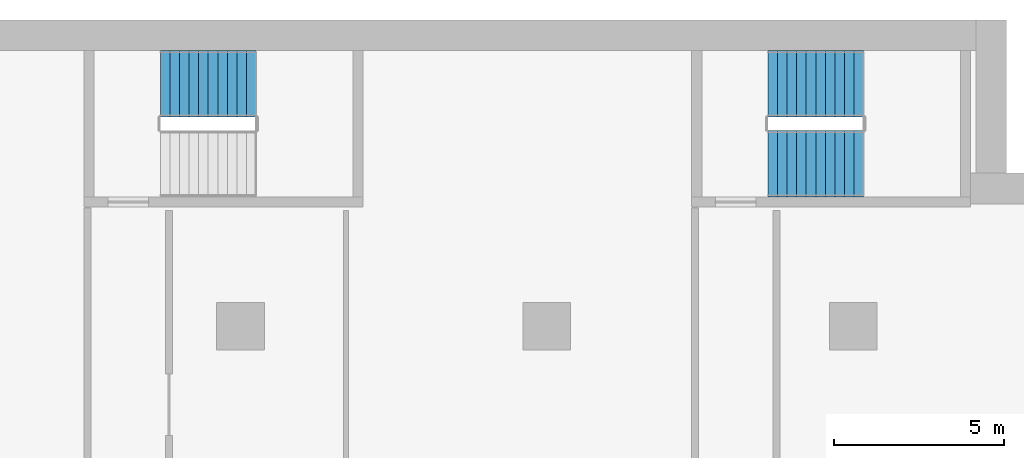
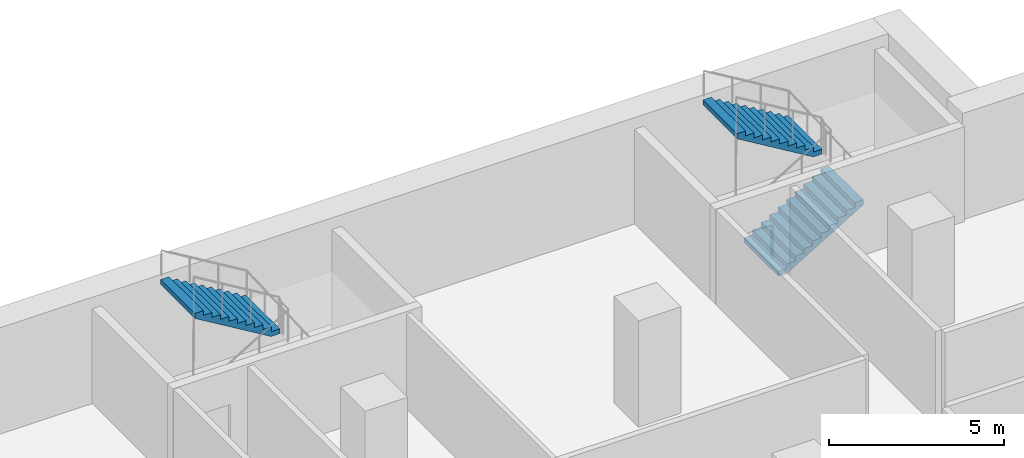
# One storey, part 22 of 28: 3 stair flights, 2 elements without a shape of their own.
"""IFC4 building model written with IfcOpenShell, lengths in metres."""

from ifc_helpers import new_model, si_unit, direction, frame, origin, place, context, subcontext, project, spatial, polyline, outline, extrude, material, type_object, element, aggregate, save


model = new_model("IFC4")

# Units and contexts
model_context = context("Model", 3, precision=1e-05, world=origin(), true_north=direction((0.0, 1.0)))
body_context = subcontext(model_context, "Body", "Model", "MODEL_VIEW")
ifc_project = project(units=[si_unit("LENGTHUNIT", "METRE"), si_unit("AREAUNIT", "SQUARE_METRE"), si_unit("VOLUMEUNIT", "CUBIC_METRE"), si_unit("PLANEANGLEUNIT", "RADIAN"), si_unit("MASSUNIT", "GRAM", prefix="KILO")], contexts=[model_context])

# Site, building, storey
site_placement = place(None, origin())
site = spatial("IfcSite", under=ifc_project, at=site_placement, CompositionType="ELEMENT")
building_placement = place(site_placement, origin())
building = spatial("IfcBuilding", under=site, at=building_placement, Name="Hunhe Ridgeline Campus", CompositionType="ELEMENT")
storey_placement = place(building_placement, frame((0.0, 0.0, 35.800048828125)))
storey = spatial("IfcBuildingStorey", under=building, at=storey_placement, Name="L07", CompositionType="ELEMENT", Elevation=35.800048828125)

# Stair, stair flight
ifc_material = material(Name="Concrete C40", Category="concrete")
stair_type = type_object("IfcStairType", Name="Reinforced concrete dog-leg stair 1950 Concrete C40", PredefinedType="HALF_TURN_STAIR", material=ifc_material)
stair_1_placement = place(storey_placement, origin())
stair_1 = element("IfcStair", 1, at=stair_1_placement, inside=storey, type_object=stair_type, Name="L07 E3", PredefinedType="HALF_TURN_STAIR")
stair_flight_type = type_object("IfcStairFlightType", Name="Reinforced concrete stair flight 1950 Concrete C40", PredefinedType="STRAIGHT", material=ifc_material)
stair_flight_1_placement = place(storey_placement, frame((72.449951171875, 97.125, 1.849853515625), z_axis=(0.0, 0.0, 1.0), x_axis=(-1.0, 0.0, 0.0)))
stair_flight_1 = element("IfcStairFlight", 2, at=stair_flight_1_placement, type_object=stair_flight_type, Name="ST7 flight 2", NumberOfRisers=11, NumberOfTreads=10, PredefinedType="STRAIGHT", RiserHeight=0.168181818, TreadLength=0.28, context=body_context, shape_type="SweptSolid", body=[
    extrude(outline(polyline([(0.0, 0.0), (0.0, 0.168212890625), (0.280029296875, 0.168212890625), (0.280029296875, 0.33642578125), (0.56005859375, 0.33642578125), (0.56005859375, 0.504638671875), (0.840087890625, 0.504638671875), (0.840087890625, 0.672607421875), (1.1201171875, 0.672607421875), (1.1201171875, 0.8408203125), (1.39990234375, 0.8408203125), (1.39990234375, 1.009033203125), (1.679931640625, 1.009033203125), (1.679931640625, 1.17724609375), (1.9599609375, 1.17724609375), (1.9599609375, 1.345458984375), (2.239990234375, 1.345458984375), (2.239990234375, 1.513671875), (2.52001953125, 1.513671875), (2.52001953125, 1.681884765625), (2.800048828125, 1.681884765625), (2.800048828125, 1.85009765625), (2.800048828125, 1.5068359375), (0.291015625, 0.0), (0.0, 0.0)])), frame((0.0, 0.97509765625, 0.0), z_axis=(0.0, -1.0, 0.0), x_axis=(1.0, 0.0, 0.0)), (0.0, 0.0, 1.0), 1.949951171875),
    extrude(outline(polyline([(0.030029296875, 0.030029296875), (0.030029296875, 0.13818359375), (0.31005859375, 0.13818359375), (0.31005859375, 0.306396484375), (0.590087890625, 0.306396484375), (0.590087890625, 0.474609375), (0.8701171875, 0.474609375), (0.8701171875, 0.642578125), (1.14990234375, 0.642578125), (1.14990234375, 0.810791015625), (1.429931640625, 0.810791015625), (1.429931640625, 0.97900390625), (1.7099609375, 0.97900390625), (1.7099609375, 1.147216796875), (1.989990234375, 1.147216796875), (1.989990234375, 1.3154296875), (2.27001953125, 1.3154296875), (2.27001953125, 1.483642578125), (2.550048828125, 1.483642578125), (2.550048828125, 1.65185546875), (2.77001953125, 1.65185546875), (2.77001953125, 1.52392578125), (0.28271484375, 0.030029296875), (0.030029296875, 0.030029296875)])), frame((0.0, -0.070068359375, 0.0), z_axis=(0.0, -1.0, 0.0), x_axis=(1.0, 0.0, 0.0)), (0.0, 0.0, 1.0), 0.019775390625),
    extrude(outline(polyline([(0.030029296875, 0.030029296875), (0.030029296875, 0.13818359375), (0.31005859375, 0.13818359375), (0.31005859375, 0.306396484375), (0.590087890625, 0.306396484375), (0.590087890625, 0.474609375), (0.8701171875, 0.474609375), (0.8701171875, 0.642578125), (1.14990234375, 0.642578125), (1.14990234375, 0.810791015625), (1.429931640625, 0.810791015625), (1.429931640625, 0.97900390625), (1.7099609375, 0.97900390625), (1.7099609375, 1.147216796875), (1.989990234375, 1.147216796875), (1.989990234375, 1.3154296875), (2.27001953125, 1.3154296875), (2.27001953125, 1.483642578125), (2.550048828125, 1.483642578125), (2.550048828125, 1.65185546875), (2.77001953125, 1.65185546875), (2.77001953125, 1.52392578125), (0.28271484375, 0.030029296875), (0.030029296875, 0.030029296875)])), frame((0.0, 0.010009765625, 0.0), z_axis=(0.0, -1.0, 0.0), x_axis=(1.0, 0.0, 0.0)), (0.0, 0.0, 1.0), 0.019775390625),
    extrude(outline(polyline([(0.030029296875, 0.030029296875), (0.030029296875, 0.13818359375), (0.31005859375, 0.13818359375), (0.31005859375, 0.306396484375), (0.590087890625, 0.306396484375), (0.590087890625, 0.474609375), (0.8701171875, 0.474609375), (0.8701171875, 0.642578125), (1.14990234375, 0.642578125), (1.14990234375, 0.810791015625), (1.429931640625, 0.810791015625), (1.429931640625, 0.97900390625), (1.7099609375, 0.97900390625), (1.7099609375, 1.147216796875), (1.989990234375, 1.147216796875), (1.989990234375, 1.3154296875), (2.27001953125, 1.3154296875), (2.27001953125, 1.483642578125), (2.550048828125, 1.483642578125), (2.550048828125, 1.65185546875), (2.77001953125, 1.65185546875), (2.77001953125, 1.52392578125), (0.28271484375, 0.030029296875), (0.030029296875, 0.030029296875)])), frame((0.0, 0.090087890625, 0.0), z_axis=(0.0, -1.0, 0.0), x_axis=(1.0, 0.0, 0.0)), (0.0, 0.0, 1.0), 0.019775390625),
])
aggregate(stair_1, [stair_flight_1])

# Stair, stair flights
stair_2_placement = place(storey_placement, origin())
stair_2 = element("IfcStair", 3, at=stair_2_placement, inside=storey, type_object=stair_type, Name="L07 E4", PredefinedType="HALF_TURN_STAIR")
stair_flight_2_placement = place(storey_placement, frame((87.5, 94.77490234375, 0.0), z_axis=(0.0, 0.0, 1.0), x_axis=(1.0, 0.0, 0.0)))
stair_flight_2 = element("IfcStairFlight", 4, at=stair_flight_2_placement, type_object=stair_flight_type, Name="ST8 flight 1", NumberOfRisers=11, NumberOfTreads=10, PredefinedType="STRAIGHT", RiserHeight=0.168181818, TreadLength=0.28, context=body_context, shape_type="SweptSolid", body=[
    extrude(outline(polyline([(0.0, 0.0), (0.0, 0.168212890625), (0.280029296875, 0.168212890625), (0.280029296875, 0.33642578125), (0.56005859375, 0.33642578125), (0.56005859375, 0.504638671875), (0.840087890625, 0.504638671875), (0.840087890625, 0.672607421875), (1.1201171875, 0.672607421875), (1.1201171875, 0.8408203125), (1.39990234375, 0.8408203125), (1.39990234375, 1.009033203125), (1.679931640625, 1.009033203125), (1.679931640625, 1.17724609375), (1.9599609375, 1.17724609375), (1.9599609375, 1.345458984375), (2.239990234375, 1.345458984375), (2.239990234375, 1.513671875), (2.52001953125, 1.513671875), (2.52001953125, 1.681884765625), (2.800048828125, 1.681884765625), (2.800048828125, 1.85009765625), (2.800048828125, 1.5068359375), (0.291015625, 0.0), (0.0, 0.0)])), frame((0.0, 0.97509765625, 0.0), z_axis=(0.0, -1.0, 0.0), x_axis=(1.0, 0.0, 0.0)), (0.0, 0.0, 1.0), 1.949951171875),
    extrude(outline(polyline([(0.030029296875, 0.030029296875), (0.030029296875, 0.13818359375), (0.31005859375, 0.13818359375), (0.31005859375, 0.306396484375), (0.590087890625, 0.306396484375), (0.590087890625, 0.474609375), (0.8701171875, 0.474609375), (0.8701171875, 0.642578125), (1.14990234375, 0.642578125), (1.14990234375, 0.810791015625), (1.429931640625, 0.810791015625), (1.429931640625, 0.97900390625), (1.7099609375, 0.97900390625), (1.7099609375, 1.147216796875), (1.989990234375, 1.147216796875), (1.989990234375, 1.3154296875), (2.27001953125, 1.3154296875), (2.27001953125, 1.483642578125), (2.550048828125, 1.483642578125), (2.550048828125, 1.65185546875), (2.77001953125, 1.65185546875), (2.77001953125, 1.52392578125), (0.28271484375, 0.030029296875), (0.030029296875, 0.030029296875)])), frame((0.0, -0.070068359375, 0.0), z_axis=(0.0, -1.0, 0.0), x_axis=(1.0, 0.0, 0.0)), (0.0, 0.0, 1.0), 0.019775390625),
    extrude(outline(polyline([(0.030029296875, 0.030029296875), (0.030029296875, 0.13818359375), (0.31005859375, 0.13818359375), (0.31005859375, 0.306396484375), (0.590087890625, 0.306396484375), (0.590087890625, 0.474609375), (0.8701171875, 0.474609375), (0.8701171875, 0.642578125), (1.14990234375, 0.642578125), (1.14990234375, 0.810791015625), (1.429931640625, 0.810791015625), (1.429931640625, 0.97900390625), (1.7099609375, 0.97900390625), (1.7099609375, 1.147216796875), (1.989990234375, 1.147216796875), (1.989990234375, 1.3154296875), (2.27001953125, 1.3154296875), (2.27001953125, 1.483642578125), (2.550048828125, 1.483642578125), (2.550048828125, 1.65185546875), (2.77001953125, 1.65185546875), (2.77001953125, 1.52392578125), (0.28271484375, 0.030029296875), (0.030029296875, 0.030029296875)])), frame((0.0, 0.010009765625, 0.0), z_axis=(0.0, -1.0, 0.0), x_axis=(1.0, 0.0, 0.0)), (0.0, 0.0, 1.0), 0.019775390625),
    extrude(outline(polyline([(0.030029296875, 0.030029296875), (0.030029296875, 0.13818359375), (0.31005859375, 0.13818359375), (0.31005859375, 0.306396484375), (0.590087890625, 0.306396484375), (0.590087890625, 0.474609375), (0.8701171875, 0.474609375), (0.8701171875, 0.642578125), (1.14990234375, 0.642578125), (1.14990234375, 0.810791015625), (1.429931640625, 0.810791015625), (1.429931640625, 0.97900390625), (1.7099609375, 0.97900390625), (1.7099609375, 1.147216796875), (1.989990234375, 1.147216796875), (1.989990234375, 1.3154296875), (2.27001953125, 1.3154296875), (2.27001953125, 1.483642578125), (2.550048828125, 1.483642578125), (2.550048828125, 1.65185546875), (2.77001953125, 1.65185546875), (2.77001953125, 1.52392578125), (0.28271484375, 0.030029296875), (0.030029296875, 0.030029296875)])), frame((0.0, 0.090087890625, 0.0), z_axis=(0.0, -1.0, 0.0), x_axis=(1.0, 0.0, 0.0)), (0.0, 0.0, 1.0), 0.019775390625),
])
stair_flight_3_placement = place(storey_placement, frame((90.300048828125, 97.125, 1.849853515625), z_axis=(0.0, 0.0, 1.0), x_axis=(-1.0, 0.0, 0.0)))
stair_flight_3 = element("IfcStairFlight", 5, at=stair_flight_3_placement, type_object=stair_flight_type, Name="ST8 flight 2", NumberOfRisers=11, NumberOfTreads=10, PredefinedType="STRAIGHT", RiserHeight=0.168181818, TreadLength=0.28, context=body_context, shape_type="SweptSolid", body=[
    extrude(outline(polyline([(0.0, 0.0), (0.0, 0.168212890625), (0.280029296875, 0.168212890625), (0.280029296875, 0.33642578125), (0.56005859375, 0.33642578125), (0.56005859375, 0.504638671875), (0.840087890625, 0.504638671875), (0.840087890625, 0.672607421875), (1.1201171875, 0.672607421875), (1.1201171875, 0.8408203125), (1.39990234375, 0.8408203125), (1.39990234375, 1.009033203125), (1.679931640625, 1.009033203125), (1.679931640625, 1.17724609375), (1.9599609375, 1.17724609375), (1.9599609375, 1.345458984375), (2.239990234375, 1.345458984375), (2.239990234375, 1.513671875), (2.52001953125, 1.513671875), (2.52001953125, 1.681884765625), (2.800048828125, 1.681884765625), (2.800048828125, 1.85009765625), (2.800048828125, 1.5068359375), (0.291015625, 0.0), (0.0, 0.0)])), frame((0.0, 0.97509765625, 0.0), z_axis=(0.0, -1.0, 0.0), x_axis=(1.0, 0.0, 0.0)), (0.0, 0.0, 1.0), 1.949951171875),
    extrude(outline(polyline([(0.030029296875, 0.030029296875), (0.030029296875, 0.13818359375), (0.31005859375, 0.13818359375), (0.31005859375, 0.306396484375), (0.590087890625, 0.306396484375), (0.590087890625, 0.474609375), (0.8701171875, 0.474609375), (0.8701171875, 0.642578125), (1.14990234375, 0.642578125), (1.14990234375, 0.810791015625), (1.429931640625, 0.810791015625), (1.429931640625, 0.97900390625), (1.7099609375, 0.97900390625), (1.7099609375, 1.147216796875), (1.989990234375, 1.147216796875), (1.989990234375, 1.3154296875), (2.27001953125, 1.3154296875), (2.27001953125, 1.483642578125), (2.550048828125, 1.483642578125), (2.550048828125, 1.65185546875), (2.77001953125, 1.65185546875), (2.77001953125, 1.52392578125), (0.28271484375, 0.030029296875), (0.030029296875, 0.030029296875)])), frame((0.0, -0.070068359375, 0.0), z_axis=(0.0, -1.0, 0.0), x_axis=(1.0, 0.0, 0.0)), (0.0, 0.0, 1.0), 0.019775390625),
    extrude(outline(polyline([(0.030029296875, 0.030029296875), (0.030029296875, 0.13818359375), (0.31005859375, 0.13818359375), (0.31005859375, 0.306396484375), (0.590087890625, 0.306396484375), (0.590087890625, 0.474609375), (0.8701171875, 0.474609375), (0.8701171875, 0.642578125), (1.14990234375, 0.642578125), (1.14990234375, 0.810791015625), (1.429931640625, 0.810791015625), (1.429931640625, 0.97900390625), (1.7099609375, 0.97900390625), (1.7099609375, 1.147216796875), (1.989990234375, 1.147216796875), (1.989990234375, 1.3154296875), (2.27001953125, 1.3154296875), (2.27001953125, 1.483642578125), (2.550048828125, 1.483642578125), (2.550048828125, 1.65185546875), (2.77001953125, 1.65185546875), (2.77001953125, 1.52392578125), (0.28271484375, 0.030029296875), (0.030029296875, 0.030029296875)])), frame((0.0, 0.010009765625, 0.0), z_axis=(0.0, -1.0, 0.0), x_axis=(1.0, 0.0, 0.0)), (0.0, 0.0, 1.0), 0.019775390625),
    extrude(outline(polyline([(0.030029296875, 0.030029296875), (0.030029296875, 0.13818359375), (0.31005859375, 0.13818359375), (0.31005859375, 0.306396484375), (0.590087890625, 0.306396484375), (0.590087890625, 0.474609375), (0.8701171875, 0.474609375), (0.8701171875, 0.642578125), (1.14990234375, 0.642578125), (1.14990234375, 0.810791015625), (1.429931640625, 0.810791015625), (1.429931640625, 0.97900390625), (1.7099609375, 0.97900390625), (1.7099609375, 1.147216796875), (1.989990234375, 1.147216796875), (1.989990234375, 1.3154296875), (2.27001953125, 1.3154296875), (2.27001953125, 1.483642578125), (2.550048828125, 1.483642578125), (2.550048828125, 1.65185546875), (2.77001953125, 1.65185546875), (2.77001953125, 1.52392578125), (0.28271484375, 0.030029296875), (0.030029296875, 0.030029296875)])), frame((0.0, 0.090087890625, 0.0), z_axis=(0.0, -1.0, 0.0), x_axis=(1.0, 0.0, 0.0)), (0.0, 0.0, 1.0), 0.019775390625),
])
aggregate(stair_2, [stair_flight_2, stair_flight_3])

save(model, "model.ifc")
